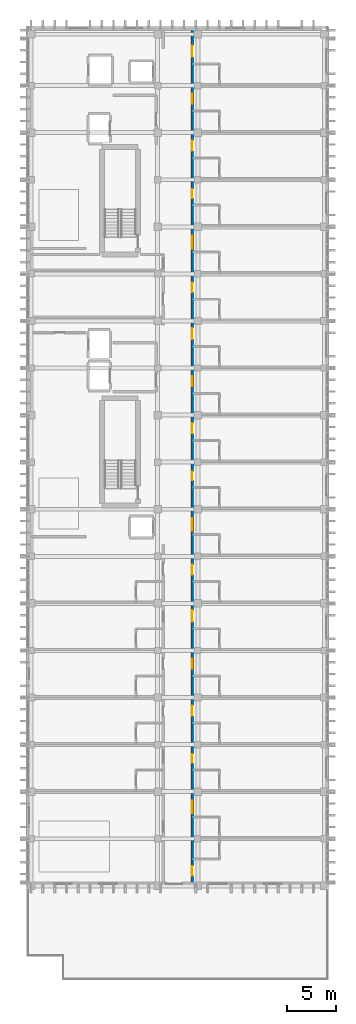
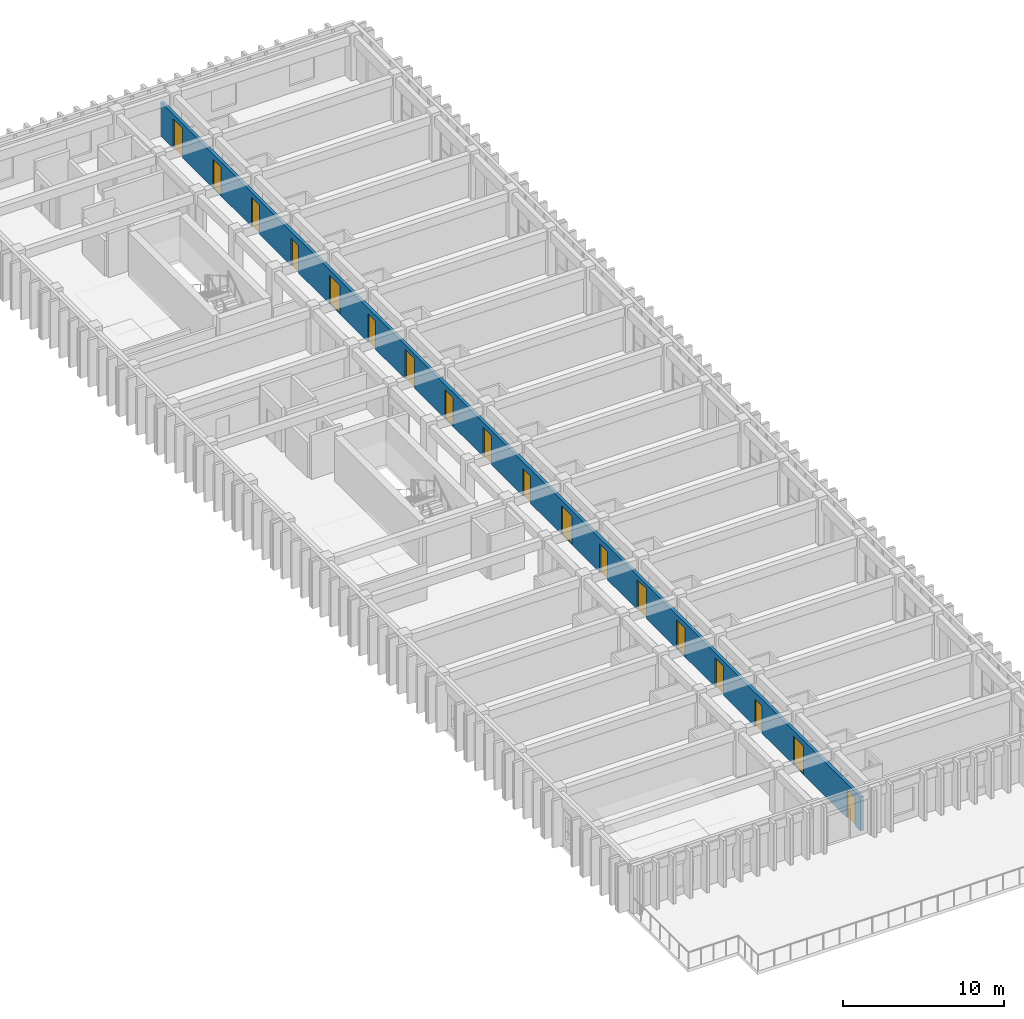
# One storey, part 53 of 64: 18 doors, 1 wall, 18 openings.
"""IFC4 building model written with IfcOpenShell, lengths in metres."""

from ifc_helpers import new_model, si_unit, direction, frame, frame_2d, origin, place, context, subcontext, project, spatial, rectangle, extrude, material, layer, layer_set, type_object, element, fill, save


model = new_model("IFC4")

# Units and contexts
model_context = context("Model", 3, precision=1e-05, world=origin(), true_north=direction((0.0, 1.0)))
body_context = subcontext(model_context, "Body", "Model", "MODEL_VIEW")
ifc_project = project(units=[si_unit("LENGTHUNIT", "METRE"), si_unit("AREAUNIT", "SQUARE_METRE"), si_unit("VOLUMEUNIT", "CUBIC_METRE"), si_unit("PLANEANGLEUNIT", "RADIAN"), si_unit("MASSUNIT", "GRAM", prefix="KILO")], contexts=[model_context])

# Site, building, storey
site_placement = place(None, origin())
site = spatial("IfcSite", under=ifc_project, at=site_placement, CompositionType="ELEMENT")
building_placement = place(site_placement, origin())
building = spatial("IfcBuilding", under=site, at=building_placement, Name="Nakhvara Creek Congress Hotel", CompositionType="ELEMENT")
storey_placement = place(building_placement, frame((0.0, 0.0, 28.199951171875)))
storey = spatial("IfcBuildingStorey", under=building, at=storey_placement, Name="L06", CompositionType="ELEMENT", Elevation=28.199951171875)

# Wall, openings, doors
ifc_material_1 = material(Name="Gypsum acoustic board on steel stud", Category="steel")
ifc_layer = layer(ifc_material_1, 0.219970703125)
ifc_layer_set = layer_set([ifc_layer], Name="Gypsum acoustic board on steel stud")
wall_type = type_object("IfcWallType", Name="W-CORR-220", PredefinedType="PARTITIONING", material=ifc_layer_set)
wall_placement = place(storey_placement, frame((165.8798828125, 38.75, 0.0), z_axis=(0.0, 0.0, 1.0), x_axis=(0.0, 1.0, 0.0)))
wall = element("IfcWall", 1, at=wall_placement, inside=storey, type_object=wall_type, Name="Interior Wall WP11-IW-L06-0442", PredefinedType="PARTITIONING", context=body_context, shape_type="SweptSolid", body=[
    extrude(rectangle(XDim=86.89990234375, YDim=0.219970703125, at=frame_2d((43.449951171875, 0.0))), origin(), (0.0, 0.0, 1.0), 2.58203125),
])
opening_1_placement = place(wall_placement, frame((0.69091796875, 0.0, 0.0)))
opening_1 = element("IfcOpeningElement", 2, at=opening_1_placement, cuts=wall, Name="Opening MD03", PredefinedType="OPENING", context=body_context, shape_type="SweptSolid", body=[
    extrude(rectangle(XDim=0.97998046875, YDim=2.14990234375, at=frame_2d((0.489990234375, 1.074951171875))), frame((0.0, 0.1220703125, 0.0), z_axis=(0.0, -1.0, 0.0), x_axis=(1.0, 0.0, 0.0)), (0.0, 0.0, 1.0), 0.243896484375),
])
opening_2_placement = place(wall_placement, frame((7.0380859375, 0.0, 0.0)))
opening_2 = element("IfcOpeningElement", 3, at=opening_2_placement, cuts=wall, Name="Opening ID07", PredefinedType="OPENING", context=body_context, shape_type="SweptSolid", body=[
    extrude(rectangle(XDim=1.280029296875, YDim=2.159912109375, at=frame_2d((0.64013671875, 1.080078125))), frame((0.0, 0.1220703125, 0.0), z_axis=(0.0, -1.0, 0.0), x_axis=(1.0, 0.0, 0.0)), (0.0, 0.0, 1.0), 0.243896484375),
])
opening_3_placement = place(wall_placement, frame((12.18798828125, 0.0, 0.0)))
opening_3 = element("IfcOpeningElement", 4, at=opening_3_placement, cuts=wall, Name="Opening ID03", PredefinedType="OPENING", context=body_context, shape_type="SweptSolid", body=[
    extrude(rectangle(XDim=0.89990234375, YDim=2.080078125, at=frame_2d((0.449951171875, 1.0400390625))), frame((0.0, 0.1220703125, 0.0), z_axis=(0.0, -1.0, 0.0), x_axis=(1.0, 0.0, 0.0)), (0.0, 0.0, 1.0), 0.243896484375),
])
opening_4_placement = place(wall_placement, frame((16.988037109375, 0.0, 0.0)))
opening_4 = element("IfcOpeningElement", 5, at=opening_4_placement, cuts=wall, Name="Opening GD04", PredefinedType="OPENING", context=body_context, shape_type="SweptSolid", body=[
    extrude(rectangle(XDim=1.050048828125, YDim=2.219970703125, at=frame_2d((0.52490234375, 1.10986328125))), frame((0.0, 0.1220703125, 0.0), z_axis=(0.0, -1.0, 0.0), x_axis=(1.0, 0.0, 0.0)), (0.0, 0.0, 1.0), 0.243896484375),
])
opening_5_placement = place(wall_placement, frame((21.7880859375, 0.0, 0.0)))
opening_5 = element("IfcOpeningElement", 6, at=opening_5_placement, cuts=wall, Name="Opening GD01", PredefinedType="OPENING", context=body_context, shape_type="SweptSolid", body=[
    extrude(rectangle(XDim=1.02001953125, YDim=2.199951171875, at=frame_2d((0.510009765625, 1.10009765625))), frame((0.0, 0.1220703125, 0.0), z_axis=(0.0, -1.0, 0.0), x_axis=(1.0, 0.0, 0.0)), (0.0, 0.0, 1.0), 0.243896484375),
])
opening_6_placement = place(wall_placement, frame((26.587890625, 0.0, 0.0)))
opening_6 = element("IfcOpeningElement", 7, at=opening_6_placement, cuts=wall, Name="Opening GD05", PredefinedType="OPENING", context=body_context, shape_type="SweptSolid", body=[
    extrude(rectangle(XDim=1.139892578125, YDim=2.260009765625, at=frame_2d((0.56982421875, 1.1298828125))), frame((0.0, 0.1220703125, 0.0), z_axis=(0.0, -1.0, 0.0), x_axis=(1.0, 0.0, 0.0)), (0.0, 0.0, 1.0), 0.243896484375),
])
opening_7_placement = place(wall_placement, frame((31.387939453125, 0.0, 0.0)))
opening_7 = element("IfcOpeningElement", 8, at=opening_7_placement, cuts=wall, Name="Opening MD03", PredefinedType="OPENING", context=body_context, shape_type="SweptSolid", body=[
    extrude(rectangle(XDim=0.97998046875, YDim=2.14990234375, at=frame_2d((0.489990234375, 1.074951171875))), frame((0.0, 0.1220703125, 0.0), z_axis=(0.0, -1.0, 0.0), x_axis=(1.0, 0.0, 0.0)), (0.0, 0.0, 1.0), 0.243896484375),
])
opening_8_placement = place(wall_placement, frame((35.837890625, 0.0, 0.0)))
opening_8 = element("IfcOpeningElement", 9, at=opening_8_placement, cuts=wall, Name="Opening ID07", PredefinedType="OPENING", context=body_context, shape_type="SweptSolid", body=[
    extrude(rectangle(XDim=1.280029296875, YDim=2.159912109375, at=frame_2d((0.64013671875, 1.080078125))), frame((0.0, 0.1220703125, 0.0), z_axis=(0.0, -1.0, 0.0), x_axis=(1.0, 0.0, 0.0)), (0.0, 0.0, 1.0), 0.243896484375),
])
opening_9_placement = place(wall_placement, frame((40.988037109375, 0.0, 0.0)))
opening_9 = element("IfcOpeningElement", 10, at=opening_9_placement, cuts=wall, Name="Opening ID03", PredefinedType="OPENING", context=body_context, shape_type="SweptSolid", body=[
    extrude(rectangle(XDim=0.89990234375, YDim=2.080078125, at=frame_2d((0.449951171875, 1.0400390625))), frame((0.0, 0.1220703125, 0.0), z_axis=(0.0, -1.0, 0.0), x_axis=(1.0, 0.0, 0.0)), (0.0, 0.0, 1.0), 0.243896484375),
])
opening_10_placement = place(wall_placement, frame((45.7880859375, 0.0, 0.0)))
opening_10 = element("IfcOpeningElement", 11, at=opening_10_placement, cuts=wall, Name="Opening GD04", PredefinedType="OPENING", context=body_context, shape_type="SweptSolid", body=[
    extrude(rectangle(XDim=1.050048828125, YDim=2.219970703125, at=frame_2d((0.52490234375, 1.10986328125))), frame((0.0, 0.1220703125, 0.0), z_axis=(0.0, -1.0, 0.0), x_axis=(1.0, 0.0, 0.0)), (0.0, 0.0, 1.0), 0.243896484375),
])
opening_11_placement = place(wall_placement, frame((50.587890625, 0.0, 0.0)))
opening_11 = element("IfcOpeningElement", 12, at=opening_11_placement, cuts=wall, Name="Opening GD01", PredefinedType="OPENING", context=body_context, shape_type="SweptSolid", body=[
    extrude(rectangle(XDim=1.02001953125, YDim=2.199951171875, at=frame_2d((0.510009765625, 1.10009765625))), frame((0.0, 0.1220703125, 0.0), z_axis=(0.0, -1.0, 0.0), x_axis=(1.0, 0.0, 0.0)), (0.0, 0.0, 1.0), 0.243896484375),
])
opening_12_placement = place(wall_placement, frame((55.387939453125, 0.0, 0.0)))
opening_12 = element("IfcOpeningElement", 13, at=opening_12_placement, cuts=wall, Name="Opening GD05", PredefinedType="OPENING", context=body_context, shape_type="SweptSolid", body=[
    extrude(rectangle(XDim=1.139892578125, YDim=2.260009765625, at=frame_2d((0.56982421875, 1.1298828125))), frame((0.0, 0.1220703125, 0.0), z_axis=(0.0, -1.0, 0.0), x_axis=(1.0, 0.0, 0.0)), (0.0, 0.0, 1.0), 0.243896484375),
])
opening_13_placement = place(wall_placement, frame((60.18798828125, 0.0, 0.0)))
opening_13 = element("IfcOpeningElement", 14, at=opening_13_placement, cuts=wall, Name="Opening MD03", PredefinedType="OPENING", context=body_context, shape_type="SweptSolid", body=[
    extrude(rectangle(XDim=0.97998046875, YDim=2.14990234375, at=frame_2d((0.489990234375, 1.074951171875))), frame((0.0, 0.1220703125, 0.0), z_axis=(0.0, -1.0, 0.0), x_axis=(1.0, 0.0, 0.0)), (0.0, 0.0, 1.0), 0.243896484375),
])
opening_14_placement = place(wall_placement, frame((64.637939453125, 0.0, 0.0)))
opening_14 = element("IfcOpeningElement", 15, at=opening_14_placement, cuts=wall, Name="Opening ID07", PredefinedType="OPENING", context=body_context, shape_type="SweptSolid", body=[
    extrude(rectangle(XDim=1.280029296875, YDim=2.159912109375, at=frame_2d((0.64013671875, 1.080078125))), frame((0.0, 0.1220703125, 0.0), z_axis=(0.0, -1.0, 0.0), x_axis=(1.0, 0.0, 0.0)), (0.0, 0.0, 1.0), 0.243896484375),
])
opening_15_placement = place(wall_placement, frame((69.7880859375, 0.0, 0.0)))
opening_15 = element("IfcOpeningElement", 16, at=opening_15_placement, cuts=wall, Name="Opening ID03", PredefinedType="OPENING", context=body_context, shape_type="SweptSolid", body=[
    extrude(rectangle(XDim=0.89990234375, YDim=2.080078125, at=frame_2d((0.449951171875, 1.0400390625))), frame((0.0, 0.1220703125, 0.0), z_axis=(0.0, -1.0, 0.0), x_axis=(1.0, 0.0, 0.0)), (0.0, 0.0, 1.0), 0.243896484375),
])
opening_16_placement = place(wall_placement, frame((74.587890625, 0.0, 0.0)))
opening_16 = element("IfcOpeningElement", 17, at=opening_16_placement, cuts=wall, Name="Opening GD04", PredefinedType="OPENING", context=body_context, shape_type="SweptSolid", body=[
    extrude(rectangle(XDim=1.050048828125, YDim=2.219970703125, at=frame_2d((0.52490234375, 1.10986328125))), frame((0.0, 0.1220703125, 0.0), z_axis=(0.0, -1.0, 0.0), x_axis=(1.0, 0.0, 0.0)), (0.0, 0.0, 1.0), 0.243896484375),
])
opening_17_placement = place(wall_placement, frame((79.387939453125, 0.0, 0.0)))
opening_17 = element("IfcOpeningElement", 18, at=opening_17_placement, cuts=wall, Name="Opening GD01", PredefinedType="OPENING", context=body_context, shape_type="SweptSolid", body=[
    extrude(rectangle(XDim=1.02001953125, YDim=2.199951171875, at=frame_2d((0.510009765625, 1.10009765625))), frame((0.0, 0.1220703125, 0.0), z_axis=(0.0, -1.0, 0.0), x_axis=(1.0, 0.0, 0.0)), (0.0, 0.0, 1.0), 0.243896484375),
])
opening_18_placement = place(wall_placement, frame((84.18798828125, 0.0, 0.0)))
opening_18 = element("IfcOpeningElement", 19, at=opening_18_placement, cuts=wall, Name="Opening GD05", PredefinedType="OPENING", context=body_context, shape_type="SweptSolid", body=[
    extrude(rectangle(XDim=1.139892578125, YDim=2.260009765625, at=frame_2d((0.56982421875, 1.1298828125))), frame((0.0, 0.1220703125, 0.0), z_axis=(0.0, -1.0, 0.0), x_axis=(1.0, 0.0, 0.0)), (0.0, 0.0, 1.0), 0.243896484375),
])
ifc_material_2 = material(Name="Brushed stainless-clad BOH door")
door_type_1 = type_object("IfcDoorType", Name="DT-BOH-128", OperationType="NOTDEFINED", PredefinedType="DOOR", material=ifc_material_2)
door_1_placement = place(opening_2_placement, origin())
door_1 = element("IfcDoor", 20, at=door_1_placement, inside=storey, type_object=door_type_1, Name="Interior Door ID07-0362", OperationType="SINGLE_SWING_LEFT", OverallHeight=2.159912109375, OverallWidth=1.280029296875, PredefinedType="DOOR", context=body_context, shape_type="SweptSolid", body=[
    extrude(rectangle(XDim=1.280029296875, YDim=2.159912109375, at=frame_2d((0.64013671875, 1.080078125))), frame((0.0, 0.02490234375, 0.0), z_axis=(0.0, -1.0, 0.0), x_axis=(1.0, 0.0, 0.0)), (0.0, 0.0, 1.0), 0.050048828125),
])
fill(opening_2, door_1)
door_2_placement = place(opening_8_placement, origin())
door_2 = element("IfcDoor", 21, at=door_2_placement, inside=storey, type_object=door_type_1, Name="Interior Door ID07-0374", OperationType="SINGLE_SWING_LEFT", OverallHeight=2.159912109375, OverallWidth=1.280029296875, PredefinedType="DOOR", context=body_context, shape_type="SweptSolid", body=[
    extrude(rectangle(XDim=1.280029296875, YDim=2.159912109375, at=frame_2d((0.64013671875, 1.080078125))), frame((0.0, 0.02490234375, 0.0), z_axis=(0.0, -1.0, 0.0), x_axis=(1.0, 0.0, 0.0)), (0.0, 0.0, 1.0), 0.050048828125),
])
fill(opening_8, door_2)
door_3_placement = place(opening_14_placement, origin())
door_3 = element("IfcDoor", 22, at=door_3_placement, inside=storey, type_object=door_type_1, Name="Interior Door ID07-0386", OperationType="SINGLE_SWING_LEFT", OverallHeight=2.159912109375, OverallWidth=1.280029296875, PredefinedType="DOOR", context=body_context, shape_type="SweptSolid", body=[
    extrude(rectangle(XDim=1.280029296875, YDim=2.159912109375, at=frame_2d((0.64013671875, 1.080078125))), frame((0.0, 0.02490234375, 0.0), z_axis=(0.0, -1.0, 0.0), x_axis=(1.0, 0.0, 0.0)), (0.0, 0.0, 1.0), 0.050048828125),
])
fill(opening_14, door_3)
ifc_material_3 = material(Name="Walnut hardwood timber fire door", Category="wood")
door_type_2 = type_object("IfcDoorType", Name="DT-GUEST-102", OperationType="NOTDEFINED", PredefinedType="DOOR", material=ifc_material_3)
door_4_placement = place(opening_5_placement, origin())
door_4 = element("IfcDoor", 23, at=door_4_placement, inside=storey, type_object=door_type_2, Name="Interior Door GD01-0368", OperationType="SINGLE_SWING_LEFT", OverallHeight=2.199951171875, OverallWidth=1.02001953125, PredefinedType="DOOR", context=body_context, shape_type="SweptSolid", body=[
    extrude(rectangle(XDim=1.02001953125, YDim=2.199951171875, at=frame_2d((0.510009765625, 1.10009765625))), frame((0.0, 0.02490234375, 0.0), z_axis=(0.0, -1.0, 0.0), x_axis=(1.0, 0.0, 0.0)), (0.0, 0.0, 1.0), 0.050048828125),
])
fill(opening_5, door_4)
door_5_placement = place(opening_11_placement, origin())
door_5 = element("IfcDoor", 24, at=door_5_placement, inside=storey, type_object=door_type_2, Name="Interior Door GD01-0380", OperationType="SINGLE_SWING_LEFT", OverallHeight=2.199951171875, OverallWidth=1.02001953125, PredefinedType="DOOR", context=body_context, shape_type="SweptSolid", body=[
    extrude(rectangle(XDim=1.02001953125, YDim=2.199951171875, at=frame_2d((0.510009765625, 1.10009765625))), frame((0.0, 0.02490234375, 0.0), z_axis=(0.0, -1.0, 0.0), x_axis=(1.0, 0.0, 0.0)), (0.0, 0.0, 1.0), 0.050048828125),
])
fill(opening_11, door_5)
door_6_placement = place(opening_17_placement, origin())
door_6 = element("IfcDoor", 25, at=door_6_placement, inside=storey, type_object=door_type_2, Name="Interior Door GD01-0392", OperationType="SINGLE_SWING_LEFT", OverallHeight=2.199951171875, OverallWidth=1.02001953125, PredefinedType="DOOR", context=body_context, shape_type="SweptSolid", body=[
    extrude(rectangle(XDim=1.02001953125, YDim=2.199951171875, at=frame_2d((0.510009765625, 1.10009765625))), frame((0.0, 0.02490234375, 0.0), z_axis=(0.0, -1.0, 0.0), x_axis=(1.0, 0.0, 0.0)), (0.0, 0.0, 1.0), 0.050048828125),
])
fill(opening_17, door_6)
door_type_3 = type_object("IfcDoorType", Name="DT-GUEST-105", OperationType="NOTDEFINED", PredefinedType="DOOR", material=ifc_material_3)
door_7_placement = place(opening_4_placement, origin())
door_7 = element("IfcDoor", 26, at=door_7_placement, inside=storey, type_object=door_type_3, Name="Interior Door GD04-0366", OperationType="SINGLE_SWING_LEFT", OverallHeight=2.219970703125, OverallWidth=1.050048828125, PredefinedType="DOOR", context=body_context, shape_type="SweptSolid", body=[
    extrude(rectangle(XDim=1.050048828125, YDim=2.219970703125, at=frame_2d((0.52490234375, 1.10986328125))), frame((0.0, 0.02490234375, 0.0), z_axis=(0.0, -1.0, 0.0), x_axis=(1.0, 0.0, 0.0)), (0.0, 0.0, 1.0), 0.050048828125),
])
fill(opening_4, door_7)
door_8_placement = place(opening_10_placement, origin())
door_8 = element("IfcDoor", 27, at=door_8_placement, inside=storey, type_object=door_type_3, Name="Interior Door GD04-0378", OperationType="SINGLE_SWING_LEFT", OverallHeight=2.219970703125, OverallWidth=1.050048828125, PredefinedType="DOOR", context=body_context, shape_type="SweptSolid", body=[
    extrude(rectangle(XDim=1.050048828125, YDim=2.219970703125, at=frame_2d((0.52490234375, 1.10986328125))), frame((0.0, 0.02490234375, 0.0), z_axis=(0.0, -1.0, 0.0), x_axis=(1.0, 0.0, 0.0)), (0.0, 0.0, 1.0), 0.050048828125),
])
fill(opening_10, door_8)
door_9_placement = place(opening_16_placement, origin())
door_9 = element("IfcDoor", 28, at=door_9_placement, inside=storey, type_object=door_type_3, Name="Interior Door GD04-0390", OperationType="SINGLE_SWING_LEFT", OverallHeight=2.219970703125, OverallWidth=1.050048828125, PredefinedType="DOOR", context=body_context, shape_type="SweptSolid", body=[
    extrude(rectangle(XDim=1.050048828125, YDim=2.219970703125, at=frame_2d((0.52490234375, 1.10986328125))), frame((0.0, 0.02490234375, 0.0), z_axis=(0.0, -1.0, 0.0), x_axis=(1.0, 0.0, 0.0)), (0.0, 0.0, 1.0), 0.050048828125),
])
fill(opening_16, door_9)
door_type_4 = type_object("IfcDoorType", Name="DT-GUEST-114", OperationType="NOTDEFINED", PredefinedType="DOOR", material=ifc_material_3)
door_10_placement = place(opening_6_placement, origin())
door_10 = element("IfcDoor", 29, at=door_10_placement, inside=storey, type_object=door_type_4, Name="Interior Door GD05-0370", OperationType="SINGLE_SWING_LEFT", OverallHeight=2.260009765625, OverallWidth=1.139892578125, PredefinedType="DOOR", context=body_context, shape_type="SweptSolid", body=[
    extrude(rectangle(XDim=1.139892578125, YDim=2.260009765625, at=frame_2d((0.56982421875, 1.1298828125))), frame((0.0, 0.02490234375, 0.0), z_axis=(0.0, -1.0, 0.0), x_axis=(1.0, 0.0, 0.0)), (0.0, 0.0, 1.0), 0.050048828125),
])
fill(opening_6, door_10)
door_11_placement = place(opening_12_placement, origin())
door_11 = element("IfcDoor", 30, at=door_11_placement, inside=storey, type_object=door_type_4, Name="Interior Door GD05-0382", OperationType="SINGLE_SWING_LEFT", OverallHeight=2.260009765625, OverallWidth=1.139892578125, PredefinedType="DOOR", context=body_context, shape_type="SweptSolid", body=[
    extrude(rectangle(XDim=1.139892578125, YDim=2.260009765625, at=frame_2d((0.56982421875, 1.1298828125))), frame((0.0, 0.02490234375, 0.0), z_axis=(0.0, -1.0, 0.0), x_axis=(1.0, 0.0, 0.0)), (0.0, 0.0, 1.0), 0.050048828125),
])
fill(opening_12, door_11)
door_12_placement = place(opening_18_placement, origin())
door_12 = element("IfcDoor", 31, at=door_12_placement, inside=storey, type_object=door_type_4, Name="Interior Door GD05-0394", OperationType="SINGLE_SWING_LEFT", OverallHeight=2.260009765625, OverallWidth=1.139892578125, PredefinedType="DOOR", context=body_context, shape_type="SweptSolid", body=[
    extrude(rectangle(XDim=1.139892578125, YDim=2.260009765625, at=frame_2d((0.56982421875, 1.1298828125))), frame((0.0, 0.02490234375, 0.0), z_axis=(0.0, -1.0, 0.0), x_axis=(1.0, 0.0, 0.0)), (0.0, 0.0, 1.0), 0.050048828125),
])
fill(opening_18, door_12)
ifc_material_4 = material(Name="Acoustic ISO 2603 sound-lock timber door", Category="wood")
door_type_5 = type_object("IfcDoorType", Name="DT-ISO-098", OperationType="NOTDEFINED", PredefinedType="DOOR", material=ifc_material_4)
door_13_placement = place(opening_1_placement, origin())
door_13 = element("IfcDoor", 32, at=door_13_placement, inside=storey, type_object=door_type_5, Name="Interior Door MD03-0360", OperationType="SINGLE_SWING_LEFT", OverallHeight=2.14990234375, OverallWidth=0.97998046875, PredefinedType="DOOR", context=body_context, shape_type="SweptSolid", body=[
    extrude(rectangle(XDim=0.97998046875, YDim=2.14990234375, at=frame_2d((0.489990234375, 1.074951171875))), frame((0.0, 0.02490234375, 0.0), z_axis=(0.0, -1.0, 0.0), x_axis=(1.0, 0.0, 0.0)), (0.0, 0.0, 1.0), 0.050048828125),
])
fill(opening_1, door_13)
door_14_placement = place(opening_7_placement, origin())
door_14 = element("IfcDoor", 33, at=door_14_placement, inside=storey, type_object=door_type_5, Name="Interior Door MD03-0372", OperationType="SINGLE_SWING_LEFT", OverallHeight=2.14990234375, OverallWidth=0.97998046875, PredefinedType="DOOR", context=body_context, shape_type="SweptSolid", body=[
    extrude(rectangle(XDim=0.97998046875, YDim=2.14990234375, at=frame_2d((0.489990234375, 1.074951171875))), frame((0.0, 0.02490234375, 0.0), z_axis=(0.0, -1.0, 0.0), x_axis=(1.0, 0.0, 0.0)), (0.0, 0.0, 1.0), 0.050048828125),
])
fill(opening_7, door_14)
door_15_placement = place(opening_13_placement, origin())
door_15 = element("IfcDoor", 34, at=door_15_placement, inside=storey, type_object=door_type_5, Name="Interior Door MD03-0384", OperationType="SINGLE_SWING_LEFT", OverallHeight=2.14990234375, OverallWidth=0.97998046875, PredefinedType="DOOR", context=body_context, shape_type="SweptSolid", body=[
    extrude(rectangle(XDim=0.97998046875, YDim=2.14990234375, at=frame_2d((0.489990234375, 1.074951171875))), frame((0.0, 0.02490234375, 0.0), z_axis=(0.0, -1.0, 0.0), x_axis=(1.0, 0.0, 0.0)), (0.0, 0.0, 1.0), 0.050048828125),
])
fill(opening_13, door_15)
ifc_material_5 = material(Name="Moisture-resistant laminate timber door", Category="wood")
door_type_6 = type_object("IfcDoorType", Name="DT-WC-090", OperationType="NOTDEFINED", PredefinedType="DOOR", material=ifc_material_5)
door_16_placement = place(opening_3_placement, origin())
door_16 = element("IfcDoor", 35, at=door_16_placement, inside=storey, type_object=door_type_6, Name="Interior Door ID03-0364", OperationType="SINGLE_SWING_LEFT", OverallHeight=2.080078125, OverallWidth=0.89990234375, PredefinedType="DOOR", context=body_context, shape_type="SweptSolid", body=[
    extrude(rectangle(XDim=0.89990234375, YDim=2.080078125, at=frame_2d((0.449951171875, 1.0400390625))), frame((0.0, 0.02490234375, 0.0), z_axis=(0.0, -1.0, 0.0), x_axis=(1.0, 0.0, 0.0)), (0.0, 0.0, 1.0), 0.050048828125),
])
fill(opening_3, door_16)
door_17_placement = place(opening_9_placement, origin())
door_17 = element("IfcDoor", 36, at=door_17_placement, inside=storey, type_object=door_type_6, Name="Interior Door ID03-0376", OperationType="SINGLE_SWING_LEFT", OverallHeight=2.080078125, OverallWidth=0.89990234375, PredefinedType="DOOR", context=body_context, shape_type="SweptSolid", body=[
    extrude(rectangle(XDim=0.89990234375, YDim=2.080078125, at=frame_2d((0.449951171875, 1.0400390625))), frame((0.0, 0.02490234375, 0.0), z_axis=(0.0, -1.0, 0.0), x_axis=(1.0, 0.0, 0.0)), (0.0, 0.0, 1.0), 0.050048828125),
])
fill(opening_9, door_17)
door_18_placement = place(opening_15_placement, origin())
door_18 = element("IfcDoor", 37, at=door_18_placement, inside=storey, type_object=door_type_6, Name="Interior Door ID03-0388", OperationType="SINGLE_SWING_LEFT", OverallHeight=2.080078125, OverallWidth=0.89990234375, PredefinedType="DOOR", context=body_context, shape_type="SweptSolid", body=[
    extrude(rectangle(XDim=0.89990234375, YDim=2.080078125, at=frame_2d((0.449951171875, 1.0400390625))), frame((0.0, 0.02490234375, 0.0), z_axis=(0.0, -1.0, 0.0), x_axis=(1.0, 0.0, 0.0)), (0.0, 0.0, 1.0), 0.050048828125),
])
fill(opening_15, door_18)

save(model, "model.ifc")
